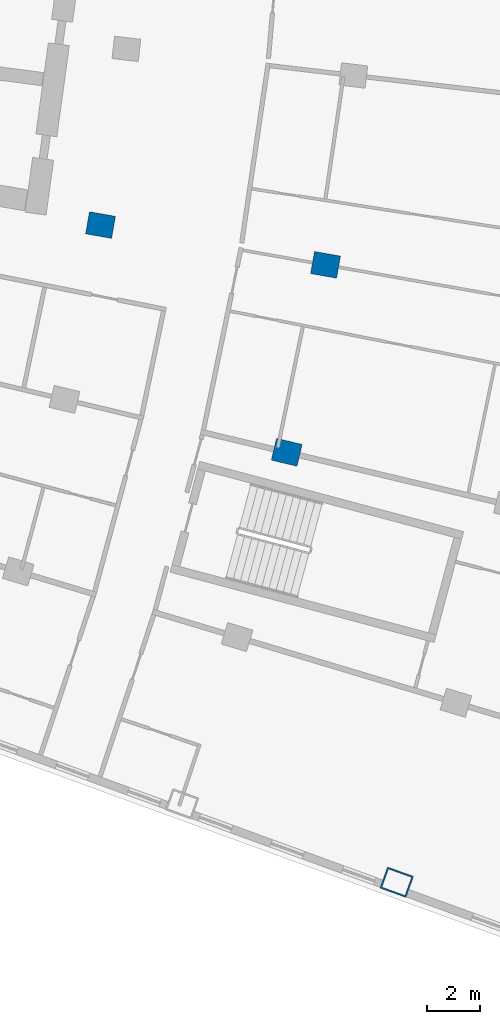
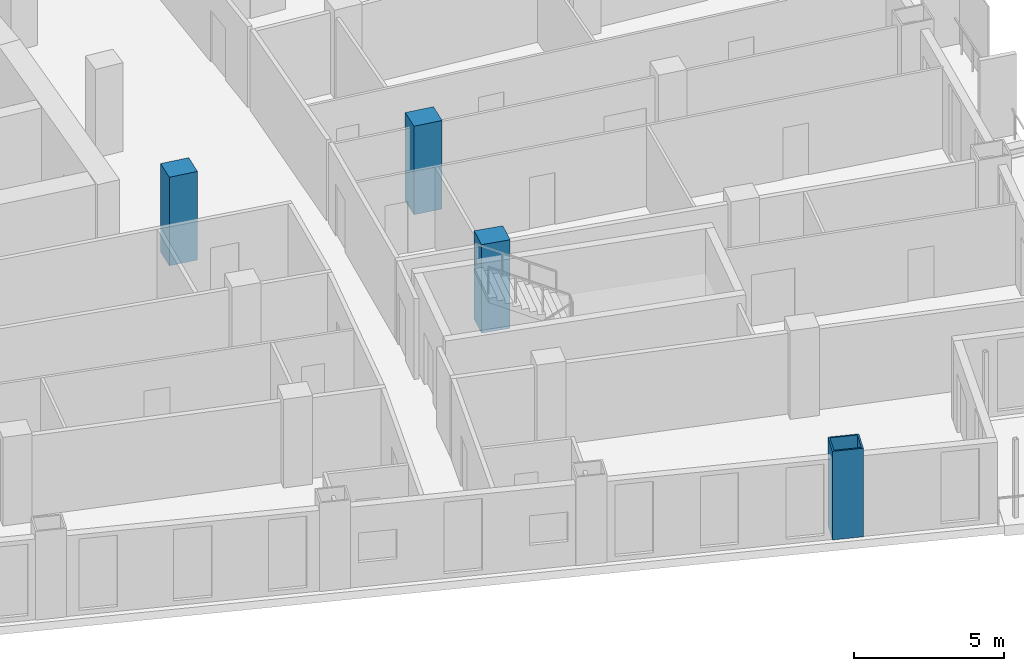
# One storey, part 4 of 25: 4 columns.
"""IFC4 building model written with IfcOpenShell, lengths in metres."""

from ifc_helpers import new_model, si_unit, direction, frame, origin, origin_2d, place, context, subcontext, project, spatial, rectangle, hollow_rectangle, extrude, material, material_profile, profile_set, type_object, element, save


model = new_model("IFC4")

# Units and contexts
model_context = context("Model", 3, precision=1e-05, world=origin(), true_north=direction((0.0, 1.0)))
body_context = subcontext(model_context, "Body", "Model", "MODEL_VIEW")
ifc_project = project(units=[si_unit("LENGTHUNIT", "METRE"), si_unit("AREAUNIT", "SQUARE_METRE"), si_unit("VOLUMEUNIT", "CUBIC_METRE"), si_unit("PLANEANGLEUNIT", "RADIAN"), si_unit("MASSUNIT", "GRAM", prefix="KILO")], contexts=[model_context])

# Site, building, storey
site_placement = place(None, origin())
site = spatial("IfcSite", under=ifc_project, at=site_placement, CompositionType="ELEMENT")
building_placement = place(site_placement, origin())
building = spatial("IfcBuilding", under=site, at=building_placement, Name="Alderwake Tower", CompositionType="ELEMENT")
storey_placement = place(building_placement, frame((0.0, 0.0, 86.0)))
storey = spatial("IfcBuildingStorey", under=building, at=storey_placement, Name="L20", CompositionType="ELEMENT", Elevation=86.0)

# Columns
ifc_material_1 = material(Name="Steel ASTM A572 Grade 50 concrete filled C70/85", Category="concrete")
ifc_material_profile_1 = material_profile(ifc_material_1, hollow_rectangle(XDim=0.85009765625, YDim=1.050048828125, WallThickness=0.06005859375, at=origin_2d()), Name="BOX 1050X850X60")
ifc_profile_set_1 = profile_set([ifc_material_profile_1], Name="Steel ASTM A572 Grade 50 concrete filled C70/85")
column_type_1 = type_object("IfcColumnType", Name="End column Z2", PredefinedType="COLUMN", material=ifc_profile_set_1)
column_placement = place(storey_placement, frame((45.266357421875, 15.9130859375, 0.0), z_axis=(0.0, 0.0, 1.0), x_axis=(0.338660738209, 0.940908552621, 0.0)))
element("IfcColumn", 1, at=column_placement, inside=storey, type_object=column_type_1, Name="Column R01-C4", PredefinedType="COLUMN", context=body_context, shape_type="SweptSolid", body=[
    extrude(hollow_rectangle(XDim=0.85009765625, YDim=1.050048828125, WallThickness=0.06005859375, at=origin_2d()), origin(), (0.0, 0.0, 1.0), 3.60009765625),
])
ifc_material_2 = material(Name="Concrete C70/85", Category="concrete")
ifc_material_profile_2 = material_profile(ifc_material_2, rectangle(XDim=0.85009765625, YDim=1.0, at=origin_2d()), Name="RC 1000X850")
ifc_profile_set_2 = profile_set([ifc_material_profile_2], Name="Concrete C70/85")
column_type_2 = type_object("IfcColumnType", Name="Interior column Z2", PredefinedType="COLUMN", material=ifc_profile_set_2)
for number, where, z_axis, x_axis, name in (
    (2, (41.09375, 32.220703125, 0.0), (0.0, 0.0, 1.0), (0.231221547198, 0.972901123502, 0.0), "Column R03-C3"),
    (3, (34.03125, 40.83837890625, 0.0), (0.0, 0.0, 1.0), (0.174108800747, 0.984726421654, 0.0), "Column R04-C2"),
    (4, (42.565673828125, 39.329345703125, 0.0), (0.0, 0.0, 1.0), (0.174108800747, 0.984726421654, 0.0), "Column R04-C3"),
):
    element("IfcColumn", number, at=place(storey_placement, frame(where, z_axis=z_axis, x_axis=x_axis)), inside=storey, type_object=column_type_2, Name=name, PredefinedType="COLUMN", context=body_context, shape_type="SweptSolid", body=[
        extrude(rectangle(XDim=0.85009765625, YDim=1.0, at=origin_2d()), origin(), (0.0, 0.0, 1.0), 3.60009765625),
    ])

save(model, "model.ifc")
